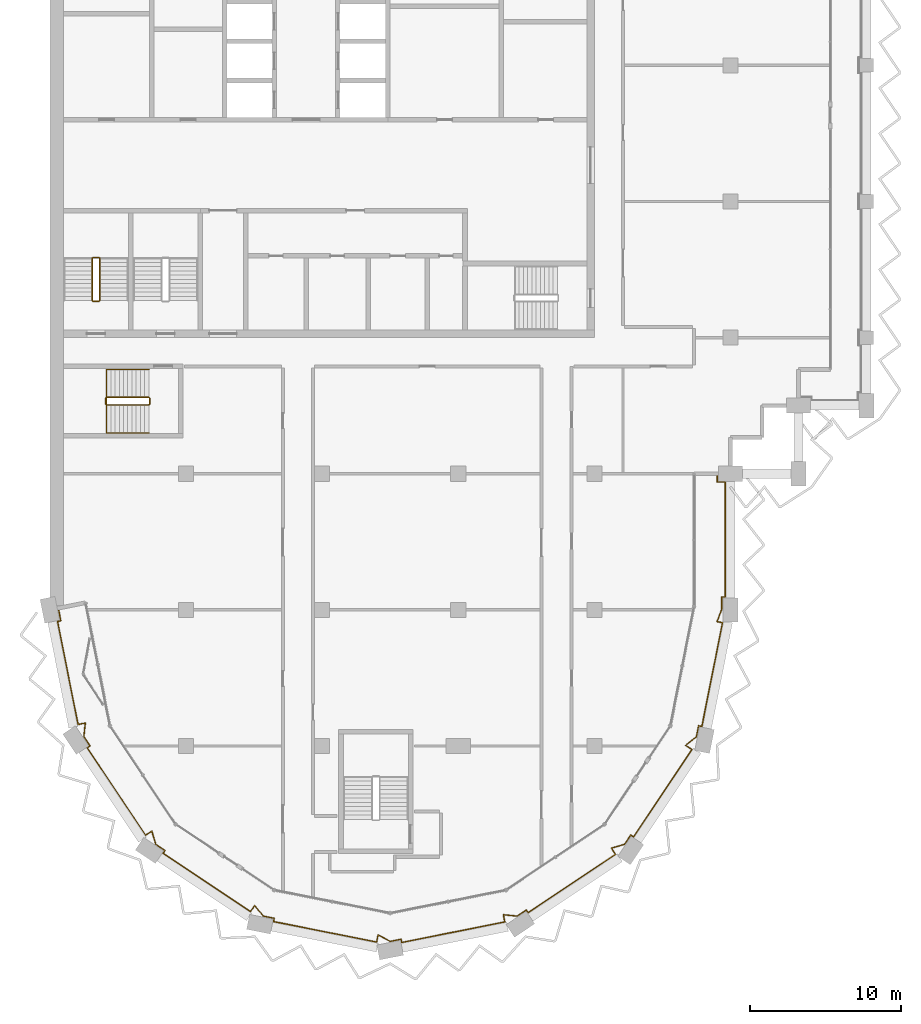
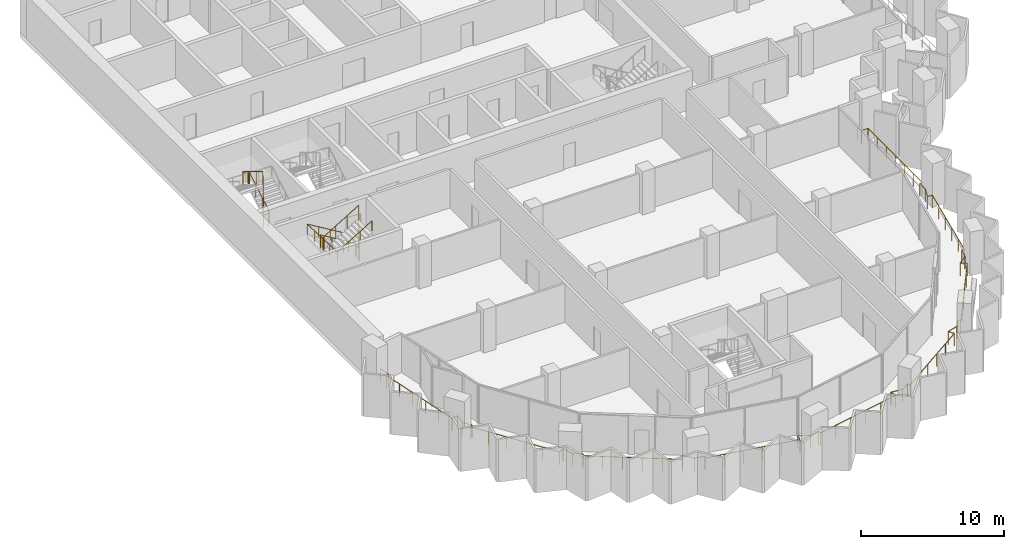
# One storey, part 15 of 17: 4 railings.
"""IFC4 building model written with IfcOpenShell, lengths in metres."""

from ifc_helpers import new_model, si_unit, direction, frame, origin, origin_2d, place, context, subcontext, project, spatial, circle, extrude, material, type_object, element, save


model = new_model("IFC4")

# Units and contexts
model_context = context("Model", 3, precision=1e-05, world=origin(), true_north=direction((0.0, 1.0)))
body_context = subcontext(model_context, "Body", "Model", "MODEL_VIEW")
ifc_project = project(units=[si_unit("LENGTHUNIT", "METRE"), si_unit("AREAUNIT", "SQUARE_METRE"), si_unit("VOLUMEUNIT", "CUBIC_METRE"), si_unit("PLANEANGLEUNIT", "RADIAN"), si_unit("MASSUNIT", "GRAM", prefix="KILO")], contexts=[model_context])

# Site, building, storey
site_placement = place(None, origin())
site = spatial("IfcSite", under=ifc_project, at=site_placement, CompositionType="ELEMENT")
building_placement = place(site_placement, origin())
building = spatial("IfcBuilding", under=site, at=building_placement, Name="Hunhe Ridgeline Campus", CompositionType="ELEMENT")
storey_placement = place(building_placement, frame((0.0, 0.0, 265.10009765625)))
storey = spatial("IfcBuildingStorey", under=building, at=storey_placement, Name="L68", CompositionType="ELEMENT", Elevation=265.10009765625)

# Railings
ifc_material_1 = material(Name="Steel Q355", Category="steel")
railing_type_1 = type_object("IfcRailingType", Name="Loggia guard 1100 Steel Q355", PredefinedType="GUARDRAIL", material=ifc_material_1)
railing_1_placement = place(storey_placement, frame((0.55908203125, 45.111083984375, 0.0)))
element("IfcRailing", 1, at=railing_1_placement, inside=storey, type_object=railing_type_1, Name="Loggia guard 1", PredefinedType="GUARDRAIL", context=body_context, shape_type="SweptSolid", body=[
    extrude(circle(Radius=0.02392578125, at=origin_2d()), frame((0.0, 0.0, 1.076171875), z_axis=(0.195066328581, -0.980790052689, 0.0), x_axis=(0.980790052689, 0.195066328581, 0.0)), (0.0, 0.0, 1.0), 0.849853515625),
    extrude(circle(Radius=0.02392578125, at=origin_2d()), frame((0.165771484375, -0.83349609375, 1.076171875), z_axis=(-0.980750988442, -0.195262640233, 0.0), x_axis=(0.195262640233, -0.980750988442, 0.0)), (0.0, 0.0, 1.0), 0.219970703125),
    extrude(circle(Radius=0.02392578125, at=origin_2d()), frame((-0.050048828125, -0.87646484375, 1.076171875), z_axis=(0.1951025318, -0.980782851647, 0.0), x_axis=(0.980782851647, 0.1951025318, 0.0)), (0.0, 0.0, 1.0), 6.94873046875),
    extrude(circle(Radius=0.02392578125, at=origin_2d()), frame((1.3056640625, -7.691650390625, 1.076171875), z_axis=(0.980791706313, 0.195058014004, 0.0), x_axis=(-0.195058014004, 0.980791706313, 0.0)), (0.0, 0.0, 1.0), 0.488037109375),
    extrude(circle(Radius=0.02392578125, at=origin_2d()), frame((1.784423828125, -7.596435546875, 1.076171875), z_axis=(-0.103312201106, -0.994648977832, 0.0), x_axis=(0.994648977832, -0.103312201106, 0.0)), (0.0, 0.0, 1.0), 0.907470703125),
    extrude(circle(Radius=0.02392578125, at=origin_2d()), frame((1.690673828125, -8.4990234375, 1.076171875), z_axis=(0.555464783965, -0.831540061437, 0.0), x_axis=(0.831540061437, 0.555464783965, 0.0)), (0.0, 0.0, 1.0), 0.736572265625),
    extrude(circle(Radius=0.02392578125, at=origin_2d()), frame((2.099853515625, -9.111572265625, 1.076171875), z_axis=(-0.831708467209, -0.555212594933, 0.0), x_axis=(0.555212594933, -0.831708467209, 0.0)), (0.0, 0.0, 1.0), 0.219970703125),
    extrude(circle(Radius=0.02392578125, at=origin_2d()), frame((1.9169921875, -9.233642578125, 1.076171875), z_axis=(0.555559363791, -0.831476874786, 0.0), x_axis=(0.831476874786, 0.555559363791, 0.0)), (0.0, 0.0, 1.0), 6.948486328125),
    extrude(circle(Radius=0.02392578125, at=origin_2d()), frame((5.77734375, -15.01123046875, 1.076171875), z_axis=(0.831588140797, 0.555392801615, 0.0), x_axis=(-0.555392801615, 0.831588140797, 0.0)), (0.0, 0.0, 1.0), 0.488037109375),
    extrude(circle(Radius=0.02392578125, at=origin_2d()), frame((6.18310546875, -14.740234375, 1.076171875), z_axis=(0.285150626135, -0.958482717849, 0.0), x_axis=(0.958482717849, 0.285150626135, 0.0)), (0.0, 0.0, 1.0), 0.907470703125),
    extrude(circle(Radius=0.02392578125, at=origin_2d()), frame((6.44189453125, -15.610107421875, 1.076171875), z_axis=(0.831540061437, -0.555464783965, 0.0), x_axis=(0.555464783965, 0.831540061437, 0.0)), (0.0, 0.0, 1.0), 0.736572265625),
    extrude(circle(Radius=0.02392578125, at=origin_2d()), frame((7.054443359375, -16.019287109375, 1.076171875), z_axis=(-0.555980009223, -0.831195662491, 0.0), x_axis=(0.831195662491, -0.555980009223, 0.0)), (0.0, 0.0, 1.0), 0.219970703125),
    extrude(circle(Radius=0.02392578125, at=origin_2d()), frame((6.93212890625, -16.2021484375, 1.076171875), z_axis=(0.831460644532, -0.555583654003, 0.0), x_axis=(0.555583654003, 0.831460644532, 0.0)), (0.0, 0.0, 1.0), 6.94873046875),
    extrude(circle(Radius=0.02392578125, at=origin_2d()), frame((12.709716796875, -20.062744140625, 1.076171875), z_axis=(0.555507638283, 0.831511433361, 0.0), x_axis=(-0.831511433361, 0.555507638283, 0.0)), (0.0, 0.0, 1.0), 0.48828125),
    extrude(circle(Radius=0.02392578125, at=origin_2d()), frame((12.98095703125, -19.65673828125, 1.076171875), z_axis=(0.630288754525, -0.776360796227, 0.0), x_axis=(0.776360796227, 0.630288754525, 0.0)), (0.0, 0.0, 1.0), 0.907470703125),
    extrude(circle(Radius=0.02392578125, at=origin_2d()), frame((13.552978515625, -20.361328125, 1.076171875), z_axis=(0.980758742397, -0.19522369019, 0.0), x_axis=(0.19522369019, 0.980758742397, 0.0)), (0.0, 0.0, 1.0), 0.736572265625),
    extrude(circle(Radius=0.02392578125, at=origin_2d()), frame((14.275390625, -20.505126953125, 1.076171875), z_axis=(-0.195262640233, -0.980750988442, 0.0), x_axis=(0.980750988442, -0.195262640233, 0.0)), (0.0, 0.0, 1.0), 0.219970703125),
    extrude(circle(Radius=0.02392578125, at=origin_2d()), frame((14.232421875, -20.720947265625, 1.076171875), z_axis=(0.980789574233, -0.195068734234, 0.0), x_axis=(0.195068734234, 0.980789574233, 0.0)), (0.0, 0.0, 1.0), 6.94873046875),
    extrude(circle(Radius=0.02392578125, at=origin_2d()), frame((21.047607421875, -22.076416015625, 1.076171875), z_axis=(0.195153744134, 0.980772662828, 0.0), x_axis=(-0.980772662828, 0.195153744134, 0.0)), (0.0, 0.0, 1.0), 0.48779296875),
    extrude(circle(Radius=0.02392578125, at=origin_2d()), frame((21.142822265625, -21.597900390625, 1.076171875), z_axis=(0.879371752487, -0.476135821934, 0.0), x_axis=(0.476135821934, 0.879371752487, 0.0)), (0.0, 0.0, 1.0), 0.907470703125),
    extrude(circle(Radius=0.02392578125, at=origin_2d()), frame((21.94091796875, -22.030029296875, 1.076171875), z_axis=(0.980758742397, 0.19522369019, 0.0), x_axis=(-0.19522369019, 0.980758742397, 0.0)), (0.0, 0.0, 1.0), 0.736572265625),
    extrude(circle(Radius=0.02392578125, at=origin_2d()), frame((22.663330078125, -21.88623046875, 1.076171875), z_axis=(0.195262640233, -0.980750988442, 0.0), x_axis=(0.980750988442, 0.195262640233, 0.0)), (0.0, 0.0, 1.0), 0.219970703125),
    extrude(circle(Radius=0.02392578125, at=origin_2d()), frame((22.706298828125, -22.10205078125, 1.076171875), z_axis=(0.980782851647, 0.1951025318, 0.0), x_axis=(-0.1951025318, 0.980782851647, 0.0)), (0.0, 0.0, 1.0), 6.94873046875),
    extrude(circle(Radius=0.02392578125, at=origin_2d()), frame((29.521484375, -20.746337890625, 1.076171875), z_axis=(-0.195058014004, 0.980791706313, 0.0), x_axis=(-0.980791706313, -0.195058014004, 0.0)), (0.0, 0.0, 1.0), 0.488037109375),
    extrude(circle(Radius=0.02392578125, at=origin_2d()), frame((29.42626953125, -20.267578125, 1.076171875), z_axis=(0.994648977832, -0.103312201106, 0.0), x_axis=(0.103312201106, 0.994648977832, 0.0)), (0.0, 0.0, 1.0), 0.907470703125),
    extrude(circle(Radius=0.02392578125, at=origin_2d()), frame((30.328857421875, -20.361328125, 1.076171875), z_axis=(0.831540061437, 0.555464783965, 0.0), x_axis=(-0.555464783965, 0.831540061437, 0.0)), (0.0, 0.0, 1.0), 0.736572265625),
    extrude(circle(Radius=0.02392578125, at=origin_2d()), frame((30.94140625, -19.9521484375, 1.076171875), z_axis=(0.555212594933, -0.831708467209, 0.0), x_axis=(0.831708467209, 0.555212594933, 0.0)), (0.0, 0.0, 1.0), 0.219970703125),
    extrude(circle(Radius=0.02392578125, at=origin_2d()), frame((31.0634765625, -20.135009765625, 1.076171875), z_axis=(0.831476874786, 0.555559363791, 0.0), x_axis=(-0.555559363791, 0.831476874786, 0.0)), (0.0, 0.0, 1.0), 6.948486328125),
    extrude(circle(Radius=0.02392578125, at=origin_2d()), frame((36.841064453125, -16.274658203125, 1.076171875), z_axis=(-0.555392801615, 0.831588140797, 0.0), x_axis=(-0.831588140797, -0.555392801615, 0.0)), (0.0, 0.0, 1.0), 0.488037109375),
    extrude(circle(Radius=0.02392578125, at=origin_2d()), frame((36.570068359375, -15.868896484375, 1.076171875), z_axis=(0.958482717849, 0.285150626135, 0.0), x_axis=(-0.285150626135, 0.958482717849, 0.0)), (0.0, 0.0, 1.0), 0.907470703125),
    extrude(circle(Radius=0.02392578125, at=origin_2d()), frame((37.43994140625, -15.610107421875, 1.076171875), z_axis=(0.555464783965, 0.831540061437, 0.0), x_axis=(-0.831540061437, 0.555464783965, 0.0)), (0.0, 0.0, 1.0), 0.736572265625),
    extrude(circle(Radius=0.02392578125, at=origin_2d()), frame((37.84912109375, -14.99755859375, 1.076171875), z_axis=(0.831195662491, -0.555980009223, 0.0), x_axis=(0.555980009223, 0.831195662491, 0.0)), (0.0, 0.0, 1.0), 0.219970703125),
    extrude(circle(Radius=0.02392578125, at=origin_2d()), frame((38.031982421875, -15.119873046875, 1.076171875), z_axis=(0.555583654003, 0.831460644532, 0.0), x_axis=(-0.831460644532, 0.555583654003, 0.0)), (0.0, 0.0, 1.0), 6.94873046875),
    extrude(circle(Radius=0.02392578125, at=origin_2d()), frame((41.892578125, -9.34228515625, 1.076171875), z_axis=(-0.831511433361, 0.555507638283, 0.0), x_axis=(-0.555507638283, -0.831511433361, 0.0)), (0.0, 0.0, 1.0), 0.48828125),
    extrude(circle(Radius=0.02392578125, at=origin_2d()), frame((41.486572265625, -9.071044921875, 1.076171875), z_axis=(0.776360796227, 0.630288754525, 0.0), x_axis=(-0.630288754525, 0.776360796227, 0.0)), (0.0, 0.0, 1.0), 0.907470703125),
    extrude(circle(Radius=0.02392578125, at=origin_2d()), frame((42.191162109375, -8.4990234375, 1.076171875), z_axis=(0.19522369019, 0.980758742397, 0.0), x_axis=(-0.980758742397, 0.19522369019, 0.0)), (0.0, 0.0, 1.0), 0.736572265625),
    extrude(circle(Radius=0.02392578125, at=origin_2d()), frame((42.3349609375, -7.776611328125, 1.076171875), z_axis=(0.980750988442, -0.195262640233, 0.0), x_axis=(0.195262640233, 0.980750988442, 0.0)), (0.0, 0.0, 1.0), 0.219970703125),
    extrude(circle(Radius=0.02392578125, at=origin_2d()), frame((42.55078125, -7.819580078125, 1.076171875), z_axis=(0.195082678264, 0.980786800809, 0.0), x_axis=(-0.980786800809, 0.195082678264, 0.0)), (0.0, 0.0, 1.0), 6.9970703125),
    extrude(circle(Radius=0.02392578125, at=origin_2d()), frame((43.915771484375, -0.95703125, 1.076171875), z_axis=(-0.980759647752, 0.195219141842, 0.0), x_axis=(-0.195219141842, -0.980759647752, 0.0)), (0.0, 0.0, 1.0), 0.366455078125),
    extrude(circle(Radius=0.02392578125, at=origin_2d()), frame((43.556396484375, -0.885498046875, 1.076171875), z_axis=(0.354074070723, 0.935217382453, 0.0), x_axis=(-0.935217382453, 0.354074070723, 0.0)), (0.0, 0.0, 1.0), 0.88818359375),
    extrude(circle(Radius=0.02392578125, at=origin_2d()), frame((43.870849609375, -0.054931640625, 1.076171875), z_axis=(0.0, 1.0, 0.0), x_axis=(-1.0, 0.0, 0.0)), (0.0, 0.0, 1.0), 0.7939453125),
    extrude(circle(Radius=0.02392578125, at=origin_2d()), frame((43.870849609375, 0.739013671875, 1.076171875), z_axis=(1.0, 0.0, 0.0), x_axis=(0.0, 1.0, 0.0)), (0.0, 0.0, 1.0), 0.219970703125),
    extrude(circle(Radius=0.02392578125, at=origin_2d()), frame((44.0908203125, 0.739013671875, 1.076171875), z_axis=(0.0, 1.0, 0.0), x_axis=(-1.0, 0.0, 0.0)), (0.0, 0.0, 1.0), 7.599853515625),
    extrude(circle(Radius=0.02392578125, at=origin_2d()), frame((44.0908203125, 8.3388671875, 1.076171875), z_axis=(-1.0, 0.0, 0.0), x_axis=(0.0, -1.0, 0.0)), (0.0, 0.0, 1.0), 0.52001953125),
    extrude(circle(Radius=0.02392578125, at=origin_2d()), frame((43.57080078125, 8.3388671875, 1.076171875), z_axis=(0.0, 1.0, 0.0), x_axis=(-1.0, 0.0, 0.0)), (0.0, 0.0, 1.0), 0.550048828125),
    extrude(circle(Radius=0.02099609375, at=origin_2d()), origin(), (0.0, 0.0, 1.0), 1.052001953125),
    extrude(circle(Radius=0.02099609375, at=origin_2d()), frame((0.165771484375, -0.83349609375, 0.0)), (0.0, 0.0, 1.0), 1.052001953125),
    extrude(circle(Radius=0.02099609375, at=origin_2d()), frame((-0.050048828125, -0.87646484375, 0.0)), (0.0, 0.0, 1.0), 1.052001953125),
    extrude(circle(Radius=0.02099609375, at=origin_2d()), frame((0.22119140625, -2.239501953125, 0.0)), (0.0, 0.0, 1.0), 1.052001953125),
    extrude(circle(Radius=0.02099609375, at=origin_2d()), frame((0.4921875, -3.6025390625, 0.0)), (0.0, 0.0, 1.0), 1.052001953125),
    extrude(circle(Radius=0.02099609375, at=origin_2d()), frame((0.763427734375, -4.965576171875, 0.0)), (0.0, 0.0, 1.0), 1.052001953125),
    extrude(circle(Radius=0.02099609375, at=origin_2d()), frame((1.034423828125, -6.32861328125, 0.0)), (0.0, 0.0, 1.0), 1.052001953125),
    extrude(circle(Radius=0.02099609375, at=origin_2d()), frame((1.3056640625, -7.691650390625, 0.0)), (0.0, 0.0, 1.0), 1.052001953125),
    extrude(circle(Radius=0.02099609375, at=origin_2d()), frame((1.784423828125, -7.596435546875, 0.0)), (0.0, 0.0, 1.0), 1.052001953125),
    extrude(circle(Radius=0.02099609375, at=origin_2d()), frame((1.690673828125, -8.4990234375, 0.0)), (0.0, 0.0, 1.0), 1.052001953125),
    extrude(circle(Radius=0.02099609375, at=origin_2d()), frame((2.099853515625, -9.111572265625, 0.0)), (0.0, 0.0, 1.0), 1.052001953125),
    extrude(circle(Radius=0.02099609375, at=origin_2d()), frame((1.9169921875, -9.233642578125, 0.0)), (0.0, 0.0, 1.0), 1.052001953125),
    extrude(circle(Radius=0.02099609375, at=origin_2d()), frame((2.68896484375, -10.38916015625, 0.0)), (0.0, 0.0, 1.0), 1.052001953125),
    extrude(circle(Radius=0.02099609375, at=origin_2d()), frame((3.461181640625, -11.544677734375, 0.0)), (0.0, 0.0, 1.0), 1.052001953125),
    extrude(circle(Radius=0.02099609375, at=origin_2d()), frame((4.233154296875, -12.7001953125, 0.0)), (0.0, 0.0, 1.0), 1.052001953125),
    extrude(circle(Radius=0.02099609375, at=origin_2d()), frame((5.00537109375, -13.855712890625, 0.0)), (0.0, 0.0, 1.0), 1.052001953125),
    extrude(circle(Radius=0.02099609375, at=origin_2d()), frame((5.77734375, -15.01123046875, 0.0)), (0.0, 0.0, 1.0), 1.052001953125),
    extrude(circle(Radius=0.02099609375, at=origin_2d()), frame((6.18310546875, -14.740234375, 0.0)), (0.0, 0.0, 1.0), 1.052001953125),
    extrude(circle(Radius=0.02099609375, at=origin_2d()), frame((6.44189453125, -15.610107421875, 0.0)), (0.0, 0.0, 1.0), 1.052001953125),
    extrude(circle(Radius=0.02099609375, at=origin_2d()), frame((7.054443359375, -16.019287109375, 0.0)), (0.0, 0.0, 1.0), 1.052001953125),
    extrude(circle(Radius=0.02099609375, at=origin_2d()), frame((6.93212890625, -16.2021484375, 0.0)), (0.0, 0.0, 1.0), 1.052001953125),
    extrude(circle(Radius=0.02099609375, at=origin_2d()), frame((8.087646484375, -16.974365234375, 0.0)), (0.0, 0.0, 1.0), 1.052001953125),
    extrude(circle(Radius=0.02099609375, at=origin_2d()), frame((9.2431640625, -17.746337890625, 0.0)), (0.0, 0.0, 1.0), 1.052001953125),
    extrude(circle(Radius=0.02099609375, at=origin_2d()), frame((10.398681640625, -18.5185546875, 0.0)), (0.0, 0.0, 1.0), 1.052001953125),
    extrude(circle(Radius=0.02099609375, at=origin_2d()), frame((11.55419921875, -19.29052734375, 0.0)), (0.0, 0.0, 1.0), 1.052001953125),
    extrude(circle(Radius=0.02099609375, at=origin_2d()), frame((12.709716796875, -20.062744140625, 0.0)), (0.0, 0.0, 1.0), 1.052001953125),
    extrude(circle(Radius=0.02099609375, at=origin_2d()), frame((12.98095703125, -19.65673828125, 0.0)), (0.0, 0.0, 1.0), 1.052001953125),
    extrude(circle(Radius=0.02099609375, at=origin_2d()), frame((13.552978515625, -20.361328125, 0.0)), (0.0, 0.0, 1.0), 1.052001953125),
    extrude(circle(Radius=0.02099609375, at=origin_2d()), frame((14.275390625, -20.505126953125, 0.0)), (0.0, 0.0, 1.0), 1.052001953125),
    extrude(circle(Radius=0.02099609375, at=origin_2d()), frame((14.232421875, -20.720947265625, 0.0)), (0.0, 0.0, 1.0), 1.052001953125),
    extrude(circle(Radius=0.02099609375, at=origin_2d()), frame((15.595458984375, -20.991943359375, 0.0)), (0.0, 0.0, 1.0), 1.052001953125),
    extrude(circle(Radius=0.02099609375, at=origin_2d()), frame((16.95849609375, -21.26318359375, 0.0)), (0.0, 0.0, 1.0), 1.052001953125),
    extrude(circle(Radius=0.02099609375, at=origin_2d()), frame((18.321533203125, -21.5341796875, 0.0)), (0.0, 0.0, 1.0), 1.052001953125),
    extrude(circle(Radius=0.02099609375, at=origin_2d()), frame((19.6845703125, -21.805419921875, 0.0)), (0.0, 0.0, 1.0), 1.052001953125),
    extrude(circle(Radius=0.02099609375, at=origin_2d()), frame((21.047607421875, -22.076416015625, 0.0)), (0.0, 0.0, 1.0), 1.052001953125),
    extrude(circle(Radius=0.02099609375, at=origin_2d()), frame((21.142822265625, -21.597900390625, 0.0)), (0.0, 0.0, 1.0), 1.052001953125),
    extrude(circle(Radius=0.02099609375, at=origin_2d()), frame((21.94091796875, -22.030029296875, 0.0)), (0.0, 0.0, 1.0), 1.052001953125),
    extrude(circle(Radius=0.02099609375, at=origin_2d()), frame((22.663330078125, -21.88623046875, 0.0)), (0.0, 0.0, 1.0), 1.052001953125),
    extrude(circle(Radius=0.02099609375, at=origin_2d()), frame((22.706298828125, -22.10205078125, 0.0)), (0.0, 0.0, 1.0), 1.052001953125),
    extrude(circle(Radius=0.02099609375, at=origin_2d()), frame((24.0693359375, -21.830810546875, 0.0)), (0.0, 0.0, 1.0), 1.052001953125),
    extrude(circle(Radius=0.02099609375, at=origin_2d()), frame((25.432373046875, -21.559814453125, 0.0)), (0.0, 0.0, 1.0), 1.052001953125),
    extrude(circle(Radius=0.02099609375, at=origin_2d()), frame((26.79541015625, -21.28857421875, 0.0)), (0.0, 0.0, 1.0), 1.052001953125),
    extrude(circle(Radius=0.02099609375, at=origin_2d()), frame((28.158447265625, -21.017578125, 0.0)), (0.0, 0.0, 1.0), 1.052001953125),
    extrude(circle(Radius=0.02099609375, at=origin_2d()), frame((29.521484375, -20.746337890625, 0.0)), (0.0, 0.0, 1.0), 1.052001953125),
    extrude(circle(Radius=0.02099609375, at=origin_2d()), frame((29.42626953125, -20.267578125, 0.0)), (0.0, 0.0, 1.0), 1.052001953125),
    extrude(circle(Radius=0.02099609375, at=origin_2d()), frame((30.328857421875, -20.361328125, 0.0)), (0.0, 0.0, 1.0), 1.052001953125),
    extrude(circle(Radius=0.02099609375, at=origin_2d()), frame((30.94140625, -19.9521484375, 0.0)), (0.0, 0.0, 1.0), 1.052001953125),
    extrude(circle(Radius=0.02099609375, at=origin_2d()), frame((31.0634765625, -20.135009765625, 0.0)), (0.0, 0.0, 1.0), 1.052001953125),
    extrude(circle(Radius=0.02099609375, at=origin_2d()), frame((32.218994140625, -19.363037109375, 0.0)), (0.0, 0.0, 1.0), 1.052001953125),
    extrude(circle(Radius=0.02099609375, at=origin_2d()), frame((33.37451171875, -18.5908203125, 0.0)), (0.0, 0.0, 1.0), 1.052001953125),
    extrude(circle(Radius=0.02099609375, at=origin_2d()), frame((34.530029296875, -17.81884765625, 0.0)), (0.0, 0.0, 1.0), 1.052001953125),
    extrude(circle(Radius=0.02099609375, at=origin_2d()), frame((35.685546875, -17.046630859375, 0.0)), (0.0, 0.0, 1.0), 1.052001953125),
    extrude(circle(Radius=0.02099609375, at=origin_2d()), frame((36.841064453125, -16.274658203125, 0.0)), (0.0, 0.0, 1.0), 1.052001953125),
    extrude(circle(Radius=0.02099609375, at=origin_2d()), frame((36.570068359375, -15.868896484375, 0.0)), (0.0, 0.0, 1.0), 1.052001953125),
    extrude(circle(Radius=0.02099609375, at=origin_2d()), frame((37.43994140625, -15.610107421875, 0.0)), (0.0, 0.0, 1.0), 1.052001953125),
    extrude(circle(Radius=0.02099609375, at=origin_2d()), frame((37.84912109375, -14.99755859375, 0.0)), (0.0, 0.0, 1.0), 1.052001953125),
    extrude(circle(Radius=0.02099609375, at=origin_2d()), frame((38.031982421875, -15.119873046875, 0.0)), (0.0, 0.0, 1.0), 1.052001953125),
    extrude(circle(Radius=0.02099609375, at=origin_2d()), frame((38.80419921875, -13.96435546875, 0.0)), (0.0, 0.0, 1.0), 1.052001953125),
    extrude(circle(Radius=0.02099609375, at=origin_2d()), frame((39.576171875, -12.808837890625, 0.0)), (0.0, 0.0, 1.0), 1.052001953125),
    extrude(circle(Radius=0.02099609375, at=origin_2d()), frame((40.348388671875, -11.6533203125, 0.0)), (0.0, 0.0, 1.0), 1.052001953125),
    extrude(circle(Radius=0.02099609375, at=origin_2d()), frame((41.120361328125, -10.497802734375, 0.0)), (0.0, 0.0, 1.0), 1.052001953125),
    extrude(circle(Radius=0.02099609375, at=origin_2d()), frame((41.892578125, -9.34228515625, 0.0)), (0.0, 0.0, 1.0), 1.052001953125),
    extrude(circle(Radius=0.02099609375, at=origin_2d()), frame((41.486572265625, -9.071044921875, 0.0)), (0.0, 0.0, 1.0), 1.052001953125),
    extrude(circle(Radius=0.02099609375, at=origin_2d()), frame((42.191162109375, -8.4990234375, 0.0)), (0.0, 0.0, 1.0), 1.052001953125),
    extrude(circle(Radius=0.02099609375, at=origin_2d()), frame((42.3349609375, -7.776611328125, 0.0)), (0.0, 0.0, 1.0), 1.052001953125),
    extrude(circle(Radius=0.02099609375, at=origin_2d()), frame((42.55078125, -7.819580078125, 0.0)), (0.0, 0.0, 1.0), 1.052001953125),
    extrude(circle(Radius=0.02099609375, at=origin_2d()), frame((42.82373046875, -6.447021484375, 0.0)), (0.0, 0.0, 1.0), 1.052001953125),
    extrude(circle(Radius=0.02099609375, at=origin_2d()), frame((43.0966796875, -5.074462890625, 0.0)), (0.0, 0.0, 1.0), 1.052001953125),
    extrude(circle(Radius=0.02099609375, at=origin_2d()), frame((43.369873046875, -3.7021484375, 0.0)), (0.0, 0.0, 1.0), 1.052001953125),
    extrude(circle(Radius=0.02099609375, at=origin_2d()), frame((43.642822265625, -2.32958984375, 0.0)), (0.0, 0.0, 1.0), 1.052001953125),
    extrude(circle(Radius=0.02099609375, at=origin_2d()), frame((43.915771484375, -0.95703125, 0.0)), (0.0, 0.0, 1.0), 1.052001953125),
    extrude(circle(Radius=0.02099609375, at=origin_2d()), frame((43.556396484375, -0.885498046875, 0.0)), (0.0, 0.0, 1.0), 1.052001953125),
    extrude(circle(Radius=0.02099609375, at=origin_2d()), frame((43.870849609375, -0.054931640625, 0.0)), (0.0, 0.0, 1.0), 1.052001953125),
    extrude(circle(Radius=0.02099609375, at=origin_2d()), frame((43.870849609375, 0.739013671875, 0.0)), (0.0, 0.0, 1.0), 1.052001953125),
    extrude(circle(Radius=0.02099609375, at=origin_2d()), frame((44.0908203125, 0.739013671875, 0.0)), (0.0, 0.0, 1.0), 1.052001953125),
    extrude(circle(Radius=0.02099609375, at=origin_2d()), frame((44.0908203125, 2.005615234375, 0.0)), (0.0, 0.0, 1.0), 1.052001953125),
    extrude(circle(Radius=0.02099609375, at=origin_2d()), frame((44.0908203125, 3.272216796875, 0.0)), (0.0, 0.0, 1.0), 1.052001953125),
    extrude(circle(Radius=0.02099609375, at=origin_2d()), frame((44.0908203125, 4.5390625, 0.0)), (0.0, 0.0, 1.0), 1.052001953125),
    extrude(circle(Radius=0.02099609375, at=origin_2d()), frame((44.0908203125, 5.8056640625, 0.0)), (0.0, 0.0, 1.0), 1.052001953125),
    extrude(circle(Radius=0.02099609375, at=origin_2d()), frame((44.0908203125, 7.072265625, 0.0)), (0.0, 0.0, 1.0), 1.052001953125),
    extrude(circle(Radius=0.02099609375, at=origin_2d()), frame((44.0908203125, 8.3388671875, 0.0)), (0.0, 0.0, 1.0), 1.052001953125),
    extrude(circle(Radius=0.02099609375, at=origin_2d()), frame((43.57080078125, 8.3388671875, 0.0)), (0.0, 0.0, 1.0), 1.052001953125),
    extrude(circle(Radius=0.02099609375, at=origin_2d()), frame((43.57080078125, 8.888916015625, 0.0)), (0.0, 0.0, 1.0), 1.052001953125),
])
ifc_material_2 = material(Name="Stainless steel balustrade", Category="steel")
railing_type_2 = type_object("IfcRailingType", Name="Stair guard 1100 stainless", PredefinedType="GUARDRAIL", material=ifc_material_2)
railing_2_placement = place(storey_placement, frame((3.300048828125, 65.449951171875, 0.16796875)))
element("IfcRailing", 2, at=railing_2_placement, inside=storey, type_object=railing_type_2, Name="L68 stair S3 guard", PredefinedType="GUARDRAIL", context=body_context, shape_type="SweptSolid", body=[
    extrude(circle(Radius=0.02392578125, at=origin_2d()), frame((0.0, 0.0, 1.076171875), z_axis=(0.0, 0.857242210791, 0.514913383045), x_axis=(-1.0, 0.0, 0.0)), (0.0, 0.0, 1.0), 3.266357421875),
    extrude(circle(Radius=0.02392578125, at=origin_2d()), frame((0.0, 2.800048828125, 2.7578125), z_axis=(-0.707106781187, 0.707106781187, 0.0), x_axis=(-0.707106781187, -0.707106781187, 0.0)), (0.0, 0.0, 1.0), 0.07080078125),
    extrude(circle(Radius=0.02392578125, at=origin_2d()), frame((-0.050048828125, 2.85009765625, 2.7578125), z_axis=(-1.0, 0.0, 0.0), x_axis=(0.0, -1.0, 0.0)), (0.0, 0.0, 1.0), 0.39990234375),
    extrude(circle(Radius=0.02392578125, at=origin_2d()), frame((-0.449951171875, 2.85009765625, 2.7578125), z_axis=(-0.274243871929, -0.274243871929, 0.92172696468), x_axis=(0.707106781187, -0.707106781187, 0.0)), (0.0, 0.0, 1.0), 0.1826171875),
    extrude(circle(Radius=0.02392578125, at=origin_2d()), frame((-0.5, 2.800048828125, 2.92626953125), z_axis=(0.0, -0.857242210791, 0.514913383045), x_axis=(1.0, 0.0, 0.0)), (0.0, 0.0, 1.0), 3.266357421875),
    extrude(circle(Radius=0.02392578125, at=origin_2d()), frame((-0.5, 0.0, 4.60791015625), z_axis=(0.013524414389, -0.013524414389, -0.999817073484), x_axis=(0.707106781187, 0.707106781187, 0.0)), (0.0, 0.0, 1.0), 3.70068359375),
    extrude(circle(Radius=0.02392578125, at=origin_2d()), frame((-0.449951171875, -0.050048828125, 0.908203125), z_axis=(1.0, 0.0, 0.0), x_axis=(0.0, 1.0, 0.0)), (0.0, 0.0, 1.0), 0.39990234375),
    extrude(circle(Radius=0.02099609375, at=origin_2d()), origin(), (0.0, 0.0, 1.0), 1.052001953125),
    extrude(circle(Radius=0.02099609375, at=origin_2d()), frame((0.0, 0.933349609375, 0.560546875)), (0.0, 0.0, 1.0), 1.052001953125),
    extrude(circle(Radius=0.02099609375, at=origin_2d()), frame((0.0, 1.86669921875, 1.121337890625)), (0.0, 0.0, 1.0), 1.052001953125),
    extrude(circle(Radius=0.02099609375, at=origin_2d()), frame((0.0, 2.800048828125, 1.681884765625)), (0.0, 0.0, 1.0), 1.052001953125),
    extrude(circle(Radius=0.02099609375, at=origin_2d()), frame((-0.050048828125, 2.85009765625, 1.681884765625)), (0.0, 0.0, 1.0), 1.052001953125),
    extrude(circle(Radius=0.02099609375, at=origin_2d()), frame((-0.449951171875, 2.85009765625, 1.681884765625)), (0.0, 0.0, 1.0), 1.052001953125),
    extrude(circle(Radius=0.02099609375, at=origin_2d()), frame((-0.5, 2.800048828125, 1.85009765625)), (0.0, 0.0, 1.0), 1.052001953125),
    extrude(circle(Radius=0.02099609375, at=origin_2d()), frame((-0.5, 1.86669921875, 2.41064453125)), (0.0, 0.0, 1.0), 1.052001953125),
    extrude(circle(Radius=0.02099609375, at=origin_2d()), frame((-0.5, 0.933349609375, 2.971435546875)), (0.0, 0.0, 1.0), 1.052001953125),
    extrude(circle(Radius=0.02099609375, at=origin_2d()), frame((-0.5, 0.0, 3.531982421875)), (0.0, 0.0, 1.0), 1.052001953125),
    extrude(circle(Radius=0.02099609375, at=origin_2d()), frame((-0.487548828125, -0.012451171875, 2.60693359375)), (0.0, 0.0, 1.0), 1.052001953125),
    extrude(circle(Radius=0.02099609375, at=origin_2d()), frame((-0.47509765625, -0.02490234375, 1.68212890625)), (0.0, 0.0, 1.0), 1.052001953125),
    extrude(circle(Radius=0.02099609375, at=origin_2d()), frame((-0.46240234375, -0.03759765625, 0.757080078125)), (0.0, 0.0, 1.0), 1.052001953125),
    extrude(circle(Radius=0.02099609375, at=origin_2d()), frame((-0.449951171875, -0.050048828125, -0.16796875)), (0.0, 0.0, 1.0), 1.052001953125),
    extrude(circle(Radius=0.02099609375, at=origin_2d()), frame((-0.050048828125, -0.050048828125, -0.16796875)), (0.0, 0.0, 1.0), 1.052001953125),
])
railing_3_placement = place(storey_placement, frame((6.550048828125, 59.050048828125, 0.16796875)))
element("IfcRailing", 3, at=railing_3_placement, inside=storey, type_object=railing_type_2, Name="L68 stair W2 guard", PredefinedType="GUARDRAIL", context=body_context, shape_type="SweptSolid", body=[
    extrude(circle(Radius=0.02392578125, at=origin_2d()), frame((0.0, 0.0, 1.076171875), z_axis=(-0.857242210791, 0.0, 0.514913383045), x_axis=(0.0, -1.0, 0.0)), (0.0, 0.0, 1.0), 3.266357421875),
    extrude(circle(Radius=0.02392578125, at=origin_2d()), frame((-2.800048828125, 0.0, 2.7578125), z_axis=(-0.707106781187, -0.707106781187, 0.0), x_axis=(0.707106781187, -0.707106781187, 0.0)), (0.0, 0.0, 1.0), 0.07080078125),
    extrude(circle(Radius=0.02392578125, at=origin_2d()), frame((-2.85009765625, -0.050048828125, 2.7578125), z_axis=(0.0, -1.0, 0.0), x_axis=(1.0, 0.0, 0.0)), (0.0, 0.0, 1.0), 0.39990234375),
    extrude(circle(Radius=0.02392578125, at=origin_2d()), frame((-2.85009765625, -0.449951171875, 2.7578125), z_axis=(0.274243871929, -0.274243871929, 0.92172696468), x_axis=(0.707106781187, 0.707106781187, 0.0)), (0.0, 0.0, 1.0), 0.1826171875),
    extrude(circle(Radius=0.02392578125, at=origin_2d()), frame((-2.800048828125, -0.5, 2.92626953125), z_axis=(0.857242210791, 0.0, 0.514913383045), x_axis=(0.0, 1.0, 0.0)), (0.0, 0.0, 1.0), 3.266357421875),
    extrude(circle(Radius=0.02392578125, at=origin_2d()), frame((0.0, -0.5, 4.60791015625), z_axis=(0.013524414389, 0.013524414389, -0.999817073484), x_axis=(-0.707106781187, 0.707106781187, 0.0)), (0.0, 0.0, 1.0), 3.70068359375),
    extrude(circle(Radius=0.02392578125, at=origin_2d()), frame((0.050048828125, -0.449951171875, 0.908203125), z_axis=(0.0, 1.0, 0.0), x_axis=(-1.0, 0.0, 0.0)), (0.0, 0.0, 1.0), 0.39990234375),
    extrude(circle(Radius=0.02099609375, at=origin_2d()), origin(), (0.0, 0.0, 1.0), 1.052001953125),
    extrude(circle(Radius=0.02099609375, at=origin_2d()), frame((-0.933349609375, 0.0, 0.560546875)), (0.0, 0.0, 1.0), 1.052001953125),
    extrude(circle(Radius=0.02099609375, at=origin_2d()), frame((-1.86669921875, 0.0, 1.121337890625)), (0.0, 0.0, 1.0), 1.052001953125),
    extrude(circle(Radius=0.02099609375, at=origin_2d()), frame((-2.800048828125, 0.0, 1.681884765625)), (0.0, 0.0, 1.0), 1.052001953125),
    extrude(circle(Radius=0.02099609375, at=origin_2d()), frame((-2.85009765625, -0.050048828125, 1.681884765625)), (0.0, 0.0, 1.0), 1.052001953125),
    extrude(circle(Radius=0.02099609375, at=origin_2d()), frame((-2.85009765625, -0.449951171875, 1.681884765625)), (0.0, 0.0, 1.0), 1.052001953125),
    extrude(circle(Radius=0.02099609375, at=origin_2d()), frame((-2.800048828125, -0.5, 1.85009765625)), (0.0, 0.0, 1.0), 1.052001953125),
    extrude(circle(Radius=0.02099609375, at=origin_2d()), frame((-1.86669921875, -0.5, 2.41064453125)), (0.0, 0.0, 1.0), 1.052001953125),
    extrude(circle(Radius=0.02099609375, at=origin_2d()), frame((-0.933349609375, -0.5, 2.971435546875)), (0.0, 0.0, 1.0), 1.052001953125),
    extrude(circle(Radius=0.02099609375, at=origin_2d()), frame((0.0, -0.5, 3.531982421875)), (0.0, 0.0, 1.0), 1.052001953125),
    extrude(circle(Radius=0.02099609375, at=origin_2d()), frame((0.012451171875, -0.487548828125, 2.60693359375)), (0.0, 0.0, 1.0), 1.052001953125),
    extrude(circle(Radius=0.02099609375, at=origin_2d()), frame((0.02490234375, -0.47509765625, 1.68212890625)), (0.0, 0.0, 1.0), 1.052001953125),
    extrude(circle(Radius=0.02099609375, at=origin_2d()), frame((0.03759765625, -0.46240234375, 0.757080078125)), (0.0, 0.0, 1.0), 1.052001953125),
    extrude(circle(Radius=0.02099609375, at=origin_2d()), frame((0.050048828125, -0.449951171875, -0.16796875)), (0.0, 0.0, 1.0), 1.052001953125),
    extrude(circle(Radius=0.02099609375, at=origin_2d()), frame((0.050048828125, -0.050048828125, -0.16796875)), (0.0, 0.0, 1.0), 1.052001953125),
])
ifc_material_3 = material(Name="Stainless steel handrail", Category="steel")
railing_type_3 = type_object("IfcRailingType", Name="Stair handrail 900 stainless", PredefinedType="HANDRAIL", material=ifc_material_3)
railing_4_placement = place(storey_placement, frame((6.550048828125, 60.89990234375, 0.16796875)))
element("IfcRailing", 4, at=railing_4_placement, inside=storey, type_object=railing_type_3, Name="L68 stair W2 handrail", PredefinedType="HANDRAIL", context=body_context, shape_type="SweptSolid", body=[
    extrude(circle(Radius=0.02392578125, at=origin_2d()), frame((0.0, 0.0, 0.8759765625), z_axis=(-0.857242210791, 0.0, 0.514913383045), x_axis=(0.0, -1.0, 0.0)), (0.0, 0.0, 1.0), 3.266357421875),
    extrude(circle(Radius=0.02392578125, at=origin_2d()), frame((-2.800048828125, 0.0, 2.5576171875), z_axis=(0.0, -0.999198916169, 0.040019069537), x_axis=(1.0, 0.0, 0.0)), (0.0, 0.0, 1.0), 4.203369140625),
    extrude(circle(Radius=0.02392578125, at=origin_2d()), frame((-2.800048828125, -4.199951171875, 2.72607421875), z_axis=(0.857242210791, 0.0, 0.514913383045), x_axis=(0.0, 1.0, 0.0)), (0.0, 0.0, 1.0), 3.266357421875),
    extrude(circle(Radius=0.02099609375, at=origin_2d()), origin(), (0.0, 0.0, 1.0), 0.851806640625),
    extrude(circle(Radius=0.02099609375, at=origin_2d()), frame((-0.933349609375, 0.0, 0.560546875)), (0.0, 0.0, 1.0), 0.851806640625),
    extrude(circle(Radius=0.02099609375, at=origin_2d()), frame((-1.86669921875, 0.0, 1.121337890625)), (0.0, 0.0, 1.0), 0.851806640625),
    extrude(circle(Radius=0.02099609375, at=origin_2d()), frame((-2.800048828125, 0.0, 1.681884765625)), (0.0, 0.0, 1.0), 0.851806640625),
    extrude(circle(Radius=0.02099609375, at=origin_2d()), frame((-2.800048828125, -1.050048828125, 1.723876953125)), (0.0, 0.0, 1.0), 0.851806640625),
    extrude(circle(Radius=0.02099609375, at=origin_2d()), frame((-2.800048828125, -2.10009765625, 1.76611328125)), (0.0, 0.0, 1.0), 0.851806640625),
    extrude(circle(Radius=0.02099609375, at=origin_2d()), frame((-2.800048828125, -3.14990234375, 1.80810546875)), (0.0, 0.0, 1.0), 0.851806640625),
    extrude(circle(Radius=0.02099609375, at=origin_2d()), frame((-2.800048828125, -4.199951171875, 1.85009765625)), (0.0, 0.0, 1.0), 0.851806640625),
    extrude(circle(Radius=0.02099609375, at=origin_2d()), frame((-1.86669921875, -4.199951171875, 2.41064453125)), (0.0, 0.0, 1.0), 0.851806640625),
    extrude(circle(Radius=0.02099609375, at=origin_2d()), frame((-0.933349609375, -4.199951171875, 2.971435546875)), (0.0, 0.0, 1.0), 0.851806640625),
    extrude(circle(Radius=0.02099609375, at=origin_2d()), frame((0.0, -4.199951171875, 3.531982421875)), (0.0, 0.0, 1.0), 0.851806640625),
])

save(model, "model.ifc")
